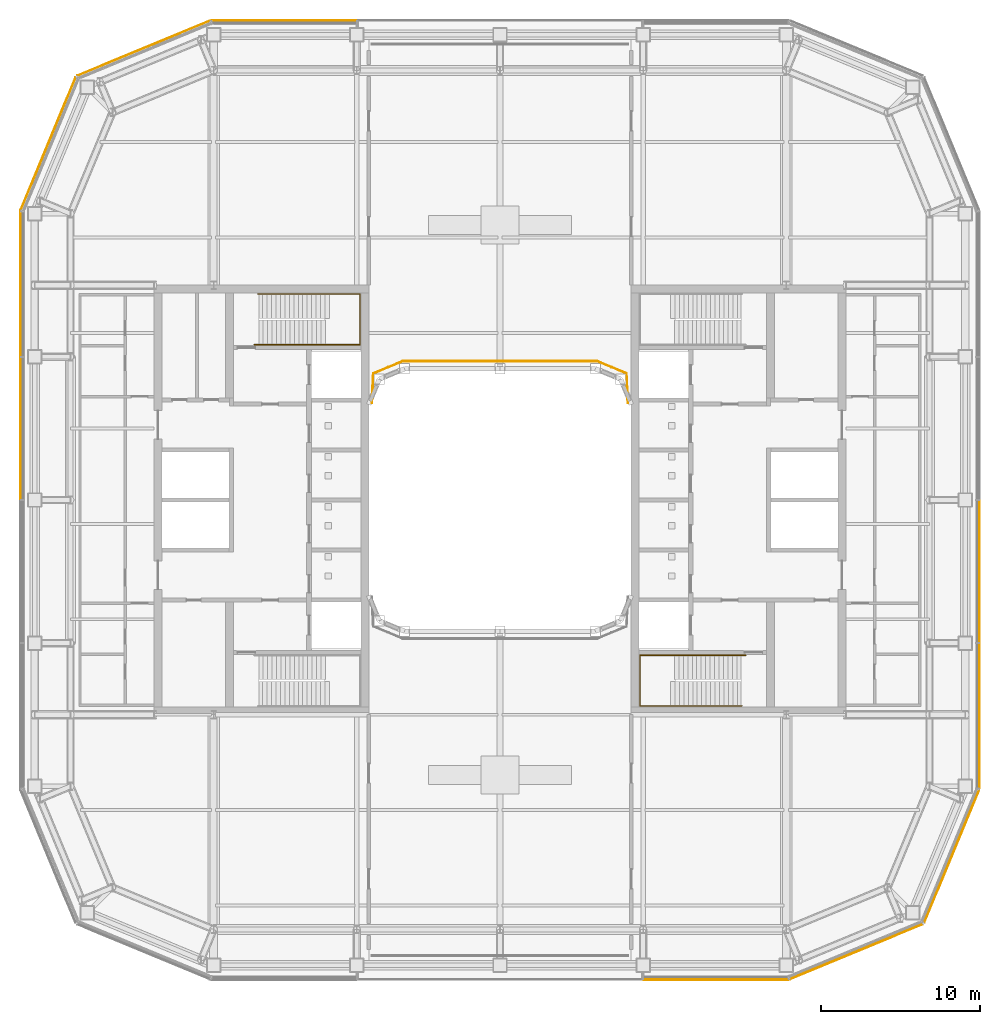
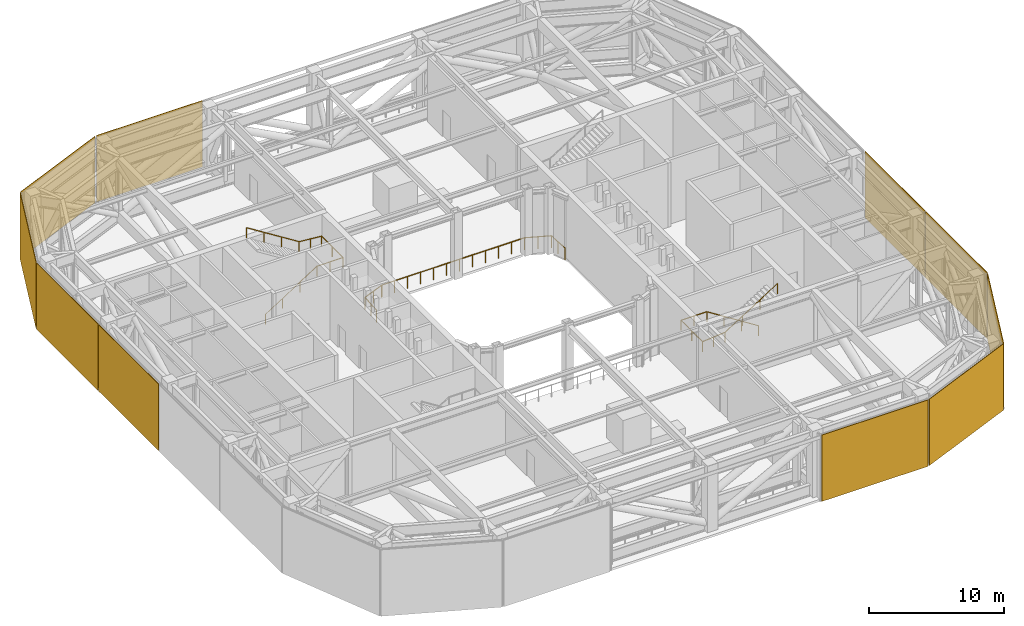
# One storey, part 20 of 22: 10 coverings, 3 railings.
"""IFC4 building model written with IfcOpenShell, lengths in metres."""

from ifc_helpers import new_model, si_unit, direction, frame, origin, origin_2d, place, context, subcontext, project, spatial, rectangle, circle, extrude, material, layer, layer_set, type_object, element, save


model = new_model("IFC4")

# Units and contexts
model_context = context("Model", 3, precision=1e-05, world=origin(), true_north=direction((0.0, 1.0)))
body_context = subcontext(model_context, "Body", "Model", "MODEL_VIEW")
ifc_project = project(units=[si_unit("LENGTHUNIT", "METRE"), si_unit("AREAUNIT", "SQUARE_METRE"), si_unit("VOLUMEUNIT", "CUBIC_METRE"), si_unit("PLANEANGLEUNIT", "RADIAN"), si_unit("MASSUNIT", "GRAM", prefix="KILO")], contexts=[model_context])

# Site, building, storey
site_placement = place(None, origin())
site = spatial("IfcSite", under=ifc_project, at=site_placement, CompositionType="ELEMENT")
building_placement = place(site_placement, origin())
building = spatial("IfcBuilding", under=site, at=building_placement, Name="Siwar Civic Tower", CompositionType="ELEMENT")
storey_placement = place(building_placement, frame((0.0, 0.0, 181.199951171875)))
storey = spatial("IfcBuildingStorey", under=building, at=storey_placement, Name="L39", CompositionType="ELEMENT", Elevation=181.199951171875)

# Railings
ifc_material_1 = material(Name="Stainless steel", Category="steel")
railing_type_1 = type_object("IfcRailingType", Name="CORE-STAIR-HANDRAIL", PredefinedType="HANDRAIL", material=ifc_material_1)
railing_1_placement = place(storey_placement, frame((-15.449951171875, 9.758056640625, 0.176513671875)))
element("IfcRailing", 1, at=railing_1_placement, inside=storey, type_object=railing_type_1, Name="Stair handrail ST1", PredefinedType="HANDRAIL", context=body_context, shape_type="SweptSolid", body=[
    extrude(circle(Radius=0.02001953125, at=origin_2d()), frame((0.0, 0.0, 0.8798828125), z_axis=(0.843278542751, 0.0, 0.537476789579), x_axis=(0.0, 1.0, 0.0)), (0.0, 0.0, 1.0), 5.253173828125),
    extrude(circle(Radius=0.02001953125, at=origin_2d()), frame((4.429931640625, 0.0, 3.703369140625), z_axis=(1.0, 0.0, 0.0), x_axis=(0.0, 1.0, 0.0)), (0.0, 0.0, 1.0), 2.2119140625),
    extrude(circle(Radius=0.02001953125, at=origin_2d()), frame((6.641845703125, 0.0, 3.703369140625), z_axis=(0.0, 1.0, 0.0), x_axis=(-1.0, 0.0, 0.0)), (0.0, 0.0, 1.0), 3.183837890625),
    extrude(circle(Radius=0.02001953125, at=origin_2d()), frame((6.641845703125, 3.183837890625, 3.703369140625), z_axis=(-0.995765067396, 0.0, 0.091934381781), x_axis=(0.0, -1.0, 0.0)), (0.0, 0.0, 1.0), 1.919921875),
    extrude(circle(Radius=0.02001953125, at=origin_2d()), frame((4.72998046875, 3.183837890625, 3.8798828125), z_axis=(-0.845997938375, 0.0, 0.533186166611), x_axis=(0.0, -1.0, 0.0)), (0.0, 0.0, 1.0), 5.29541015625),
    extrude(circle(Radius=0.02001953125, at=origin_2d()), origin(), (0.0, 0.0, 1.0), 0.85986328125),
    extrude(circle(Radius=0.02001953125, at=origin_2d()), frame((1.4765625, 0.0, 0.941162109375)), (0.0, 0.0, 1.0), 0.85986328125),
    extrude(circle(Radius=0.02001953125, at=origin_2d()), frame((2.953369140625, 0.0, 1.88232421875)), (0.0, 0.0, 1.0), 0.85986328125),
    extrude(circle(Radius=0.02001953125, at=origin_2d()), frame((4.429931640625, 0.0, 2.823486328125)), (0.0, 0.0, 1.0), 0.85986328125),
    extrude(circle(Radius=0.02001953125, at=origin_2d()), frame((5.535888671875, 0.0, 2.823486328125)), (0.0, 0.0, 1.0), 0.85986328125),
    extrude(circle(Radius=0.02001953125, at=origin_2d()), frame((6.641845703125, 0.0, 2.823486328125)), (0.0, 0.0, 1.0), 0.85986328125),
    extrude(circle(Radius=0.02001953125, at=origin_2d()), frame((6.641845703125, 1.591796875, 2.823486328125)), (0.0, 0.0, 1.0), 0.85986328125),
    extrude(circle(Radius=0.02001953125, at=origin_2d()), frame((6.641845703125, 3.183837890625, 2.823486328125)), (0.0, 0.0, 1.0), 0.85986328125),
    extrude(circle(Radius=0.02001953125, at=origin_2d()), frame((5.68603515625, 3.183837890625, 2.91162109375)), (0.0, 0.0, 1.0), 0.85986328125),
    extrude(circle(Radius=0.02001953125, at=origin_2d()), frame((4.72998046875, 3.183837890625, 3.0)), (0.0, 0.0, 1.0), 0.85986328125),
    extrude(circle(Radius=0.02001953125, at=origin_2d()), frame((3.236572265625, 3.183837890625, 3.941162109375)), (0.0, 0.0, 1.0), 0.85986328125),
    extrude(circle(Radius=0.02001953125, at=origin_2d()), frame((1.743408203125, 3.183837890625, 4.88232421875)), (0.0, 0.0, 1.0), 0.85986328125),
    extrude(circle(Radius=0.02001953125, at=origin_2d()), frame((0.25, 3.183837890625, 5.823486328125)), (0.0, 0.0, 1.0), 0.85986328125),
])
railing_2_placement = place(storey_placement, frame((15.449951171875, -9.758056640625, 0.176513671875)))
element("IfcRailing", 2, at=railing_2_placement, inside=storey, type_object=railing_type_1, Name="Stair handrail ST4", PredefinedType="HANDRAIL", context=body_context, shape_type="SweptSolid", body=[
    extrude(circle(Radius=0.02001953125, at=origin_2d()), frame((0.0, 0.0, 0.8798828125), z_axis=(-0.843278542751, 0.0, 0.537476789579), x_axis=(0.0, -1.0, 0.0)), (0.0, 0.0, 1.0), 5.253173828125),
    extrude(circle(Radius=0.02001953125, at=origin_2d()), frame((-4.429931640625, 0.0, 3.703369140625), z_axis=(-1.0, 0.0, 0.0), x_axis=(0.0, -1.0, 0.0)), (0.0, 0.0, 1.0), 2.2119140625),
    extrude(circle(Radius=0.02001953125, at=origin_2d()), frame((-6.641845703125, 0.0, 3.703369140625), z_axis=(0.0, -1.0, 0.0), x_axis=(1.0, 0.0, 0.0)), (0.0, 0.0, 1.0), 3.183837890625),
    extrude(circle(Radius=0.02001953125, at=origin_2d()), frame((-6.641845703125, -3.183837890625, 3.703369140625), z_axis=(0.995765067396, 0.0, 0.091934381781), x_axis=(0.0, 1.0, 0.0)), (0.0, 0.0, 1.0), 1.919921875),
    extrude(circle(Radius=0.02001953125, at=origin_2d()), frame((-4.72998046875, -3.183837890625, 3.8798828125), z_axis=(0.845997938375, 0.0, 0.533186166611), x_axis=(0.0, 1.0, 0.0)), (0.0, 0.0, 1.0), 5.29541015625),
    extrude(circle(Radius=0.02001953125, at=origin_2d()), origin(), (0.0, 0.0, 1.0), 0.85986328125),
    extrude(circle(Radius=0.02001953125, at=origin_2d()), frame((-1.4765625, 0.0, 0.941162109375)), (0.0, 0.0, 1.0), 0.85986328125),
    extrude(circle(Radius=0.02001953125, at=origin_2d()), frame((-2.953369140625, 0.0, 1.88232421875)), (0.0, 0.0, 1.0), 0.85986328125),
    extrude(circle(Radius=0.02001953125, at=origin_2d()), frame((-4.429931640625, 0.0, 2.823486328125)), (0.0, 0.0, 1.0), 0.85986328125),
    extrude(circle(Radius=0.02001953125, at=origin_2d()), frame((-5.535888671875, 0.0, 2.823486328125)), (0.0, 0.0, 1.0), 0.85986328125),
    extrude(circle(Radius=0.02001953125, at=origin_2d()), frame((-6.641845703125, 0.0, 2.823486328125)), (0.0, 0.0, 1.0), 0.85986328125),
    extrude(circle(Radius=0.02001953125, at=origin_2d()), frame((-6.641845703125, -1.591796875, 2.823486328125)), (0.0, 0.0, 1.0), 0.85986328125),
    extrude(circle(Radius=0.02001953125, at=origin_2d()), frame((-6.641845703125, -3.183837890625, 2.823486328125)), (0.0, 0.0, 1.0), 0.85986328125),
    extrude(circle(Radius=0.02001953125, at=origin_2d()), frame((-5.68603515625, -3.183837890625, 2.91162109375)), (0.0, 0.0, 1.0), 0.85986328125),
    extrude(circle(Radius=0.02001953125, at=origin_2d()), frame((-4.72998046875, -3.183837890625, 3.0)), (0.0, 0.0, 1.0), 0.85986328125),
    extrude(circle(Radius=0.02001953125, at=origin_2d()), frame((-3.236572265625, -3.183837890625, 3.941162109375)), (0.0, 0.0, 1.0), 0.85986328125),
    extrude(circle(Radius=0.02001953125, at=origin_2d()), frame((-1.743408203125, -3.183837890625, 4.88232421875)), (0.0, 0.0, 1.0), 0.85986328125),
    extrude(circle(Radius=0.02001953125, at=origin_2d()), frame((-0.25, -3.183837890625, 5.823486328125)), (0.0, 0.0, 1.0), 0.85986328125),
])
ifc_material_2 = material(Name="Stainless steel 316", Category="steel")
railing_type_2 = type_object("IfcRailingType", Name="ENV-GUARD-ROOF", PredefinedType="GUARDRAIL", material=ifc_material_2)
railing_3_placement = place(storey_placement, frame((8.050048828125, 6.094482421875, 0.0)))
element("IfcRailing", 3, at=railing_3_placement, inside=storey, type_object=railing_type_2, Name="Sky portal guard N well edge", PredefinedType="GUARDRAIL", context=body_context, shape_type="SweptSolid", body=[
    extrude(circle(Radius=0.02392578125, at=origin_2d()), frame((0.0, 0.0, 1.076171875), z_axis=(-0.051251625776, 0.99868577183, 0.0), x_axis=(-0.99868577183, -0.051251625776, 0.0)), (0.0, 0.0, 1.0), 1.862548828125),
    extrude(circle(Radius=0.02392578125, at=origin_2d()), frame((-0.095458984375, 1.860107421875, 1.076171875), z_axis=(-0.923874950825, 0.382694493346, 0.0), x_axis=(-0.382694493346, -0.923874950825, 0.0)), (0.0, 0.0, 1.0), 2.013427734375),
    extrude(circle(Radius=0.02392578125, at=origin_2d()), frame((-1.95556640625, 2.630615234375, 1.076171875), z_axis=(-1.0, 0.0, 0.0), x_axis=(0.0, -1.0, 0.0)), (0.0, 0.0, 1.0), 12.18896484375),
    extrude(circle(Radius=0.02392578125, at=origin_2d()), frame((-14.14453125, 2.630615234375, 1.076171875), z_axis=(-0.923874950825, -0.382694493346, 0.0), x_axis=(0.382694493346, -0.923874950825, 0.0)), (0.0, 0.0, 1.0), 2.013427734375),
    extrude(circle(Radius=0.02392578125, at=origin_2d()), frame((-16.004638671875, 1.860107421875, 1.076171875), z_axis=(-0.051251625776, -0.99868577183, 0.0), x_axis=(0.99868577183, -0.051251625776, 0.0)), (0.0, 0.0, 1.0), 1.862548828125),
    extrude(circle(Radius=0.02099609375, at=origin_2d()), origin(), (0.0, 0.0, 1.0), 1.052001953125),
    extrude(circle(Radius=0.02099609375, at=origin_2d()), frame((-0.0478515625, 0.93017578125, 0.0)), (0.0, 0.0, 1.0), 1.052001953125),
    extrude(circle(Radius=0.02099609375, at=origin_2d()), frame((-0.095458984375, 1.860107421875, 0.0)), (0.0, 0.0, 1.0), 1.052001953125),
    extrude(circle(Radius=0.02099609375, at=origin_2d()), frame((-1.025390625, 2.245361328125, 0.0)), (0.0, 0.0, 1.0), 1.052001953125),
    extrude(circle(Radius=0.02099609375, at=origin_2d()), frame((-1.95556640625, 2.630615234375, 0.0)), (0.0, 0.0, 1.0), 1.052001953125),
    extrude(circle(Radius=0.02099609375, at=origin_2d()), frame((-3.063720703125, 2.630615234375, 0.0)), (0.0, 0.0, 1.0), 1.052001953125),
    extrude(circle(Radius=0.02099609375, at=origin_2d()), frame((-4.171630859375, 2.630615234375, 0.0)), (0.0, 0.0, 1.0), 1.052001953125),
    extrude(circle(Radius=0.02099609375, at=origin_2d()), frame((-5.27978515625, 2.630615234375, 0.0)), (0.0, 0.0, 1.0), 1.052001953125),
    extrude(circle(Radius=0.02099609375, at=origin_2d()), frame((-6.387939453125, 2.630615234375, 0.0)), (0.0, 0.0, 1.0), 1.052001953125),
    extrude(circle(Radius=0.02099609375, at=origin_2d()), frame((-7.49609375, 2.630615234375, 0.0)), (0.0, 0.0, 1.0), 1.052001953125),
    extrude(circle(Radius=0.02099609375, at=origin_2d()), frame((-8.60400390625, 2.630615234375, 0.0)), (0.0, 0.0, 1.0), 1.052001953125),
    extrude(circle(Radius=0.02099609375, at=origin_2d()), frame((-9.712158203125, 2.630615234375, 0.0)), (0.0, 0.0, 1.0), 1.052001953125),
    extrude(circle(Radius=0.02099609375, at=origin_2d()), frame((-10.8203125, 2.630615234375, 0.0)), (0.0, 0.0, 1.0), 1.052001953125),
    extrude(circle(Radius=0.02099609375, at=origin_2d()), frame((-11.928466796875, 2.630615234375, 0.0)), (0.0, 0.0, 1.0), 1.052001953125),
    extrude(circle(Radius=0.02099609375, at=origin_2d()), frame((-13.036376953125, 2.630615234375, 0.0)), (0.0, 0.0, 1.0), 1.052001953125),
    extrude(circle(Radius=0.02099609375, at=origin_2d()), frame((-14.14453125, 2.630615234375, 0.0)), (0.0, 0.0, 1.0), 1.052001953125),
    extrude(circle(Radius=0.02099609375, at=origin_2d()), frame((-15.07470703125, 2.245361328125, 0.0)), (0.0, 0.0, 1.0), 1.052001953125),
    extrude(circle(Radius=0.02099609375, at=origin_2d()), frame((-16.004638671875, 1.860107421875, 0.0)), (0.0, 0.0, 1.0), 1.052001953125),
    extrude(circle(Radius=0.02099609375, at=origin_2d()), frame((-16.05224609375, 0.93017578125, 0.0)), (0.0, 0.0, 1.0), 1.052001953125),
    extrude(circle(Radius=0.02099609375, at=origin_2d()), frame((-16.10009765625, 0.0, 0.0)), (0.0, 0.0, 1.0), 1.052001953125),
])

# Coverings
ifc_material_3 = material(Name="Perforated aluminium cassette, pale metal", Category="aluminium")
ifc_layer_1 = layer(ifc_material_3, 0.0400390625)
ifc_layer_set_1 = layer_set([ifc_layer_1], Name="Perforated aluminium cassette, pale metal")
covering_type_1 = type_object("IfcCoveringType", Name="ENV-OUTER SKIN OS-1", PredefinedType="CLADDING", material=ifc_layer_set_1)
covering_1_placement = place(storey_placement, frame((30.14990234375, -13.57958984375, -0.199951171875), z_axis=(0.0, 0.0, 1.0), x_axis=(0.0, 1.0, 0.0)))
element("IfcCovering", 4, at=covering_1_placement, inside=storey, type_object=covering_type_1, Name="OUTER SKIN OS-1 E 1", PredefinedType="CLADDING", context=body_context, shape_type="SweptSolid", body=[
    extrude(rectangle(XDim=9.05908203125, YDim=0.0400390625, at=origin_2d()), origin(), (0.0, 0.0, 1.0), 6.0),
])
covering_2_placement = place(storey_placement, frame((30.14990234375, -4.5, -0.199951171875), z_axis=(0.0, 0.0, 1.0), x_axis=(0.0, 1.0, 0.0)))
element("IfcCovering", 5, at=covering_2_placement, inside=storey, type_object=covering_type_1, Name="OUTER SKIN OS-1 E 2", PredefinedType="CLADDING", context=body_context, shape_type="SweptSolid", body=[
    extrude(rectangle(XDim=8.89990234375, YDim=0.0400390625, at=origin_2d()), origin(), (0.0, 0.0, 1.0), 6.0),
])
covering_3_placement = place(storey_placement, frame((-13.57958984375, 30.14990234375, -0.199951171875), z_axis=(0.0, 0.0, 1.0), x_axis=(-1.0, 0.0, 0.0)))
element("IfcCovering", 6, at=covering_3_placement, inside=storey, type_object=covering_type_1, Name="OUTER SKIN OS-1 N 4", PredefinedType="CLADDING", context=body_context, shape_type="SweptSolid", body=[
    extrude(rectangle(XDim=9.05908203125, YDim=0.0400390625, at=origin_2d()), origin(), (0.0, 0.0, 1.0), 6.0),
])
covering_4_placement = place(storey_placement, frame((-22.411376953125, 28.39697265625, -0.199951171875), z_axis=(0.0, 0.0, 1.0), x_axis=(-0.923879532511, -0.382683432365, 0.0)))
element("IfcCovering", 7, at=covering_4_placement, inside=storey, type_object=covering_type_1, Name="OUTER SKIN OS-1 NW1 1", PredefinedType="CLADDING", context=body_context, shape_type="SweptSolid", body=[
    extrude(rectangle(XDim=9.022216796875, YDim=0.0400390625, at=origin_2d()), origin(), (0.0, 0.0, 1.0), 6.0),
])
ifc_material_4 = material(Name="Perforated aluminium cassette, pale metal", Category="aluminium")
ifc_layer_2 = layer(ifc_material_4, 0.044921875)
ifc_layer_set_2 = layer_set([ifc_layer_2], Name="Perforated aluminium cassette, pale metal")
covering_type_2 = type_object("IfcCoveringType", Name="ENV-OUTER SKIN OS-2", PredefinedType="CLADDING", material=ifc_layer_set_2)
for number, where, z_axis, x_axis, name in (
    (8, (28.39697265625, -22.411376953125, -0.199951171875), (0.0, 0.0, 1.0), (0.382683432365, 0.923879532511, 0.0), "OUTER SKIN OS-2 SE2 1"),
    (9, (-28.39697265625, 22.411376953125, -0.199951171875), (0.0, 0.0, 1.0), (-0.382683432365, -0.923879532511, 0.0), "OUTER SKIN OS-2 NW2 1"),
):
    element("IfcCovering", number, at=place(storey_placement, frame(where, z_axis=z_axis, x_axis=x_axis)), inside=storey, type_object=covering_type_2, Name=name, PredefinedType="CLADDING", context=body_context, shape_type="SweptSolid", body=[
        extrude(rectangle(XDim=9.022216796875, YDim=0.044921875, at=origin_2d()), origin(), (0.0, 0.0, 1.0), 6.0),
    ])
ifc_material_5 = material(Name="Perforated aluminium cassette, pale metal", Category="aluminium")
ifc_layer_3 = layer(ifc_material_5, 0.050048828125)
ifc_layer_set_3 = layer_set([ifc_layer_3], Name="Perforated aluminium cassette, pale metal")
covering_type_3 = type_object("IfcCoveringType", Name="ENV-OUTER SKIN OS-3", PredefinedType="CLADDING", material=ifc_layer_set_3)
covering_5_placement = place(storey_placement, frame((22.411376953125, -28.39697265625, -0.199951171875), z_axis=(0.0, 0.0, 1.0), x_axis=(0.923879532511, 0.382683432365, 0.0)))
element("IfcCovering", 10, at=covering_5_placement, inside=storey, type_object=covering_type_3, Name="OUTER SKIN OS-3 SE1 1", PredefinedType="CLADDING", context=body_context, shape_type="SweptSolid", body=[
    extrude(rectangle(XDim=9.022216796875, YDim=0.050048828125, at=origin_2d()), origin(), (0.0, 0.0, 1.0), 6.0),
])
covering_6_placement = place(storey_placement, frame((-30.14990234375, 13.57958984375, -0.199951171875), z_axis=(0.0, 0.0, 1.0), x_axis=(0.0, -1.0, 0.0)))
element("IfcCovering", 11, at=covering_6_placement, inside=storey, type_object=covering_type_3, Name="OUTER SKIN OS-3 W 1", PredefinedType="CLADDING", context=body_context, shape_type="SweptSolid", body=[
    extrude(rectangle(XDim=9.05908203125, YDim=0.050048828125, at=origin_2d()), origin(), (0.0, 0.0, 1.0), 6.0),
])
covering_7_placement = place(storey_placement, frame((-30.14990234375, 4.5, -0.199951171875), z_axis=(0.0, 0.0, 1.0), x_axis=(0.0, -1.0, 0.0)))
element("IfcCovering", 12, at=covering_7_placement, inside=storey, type_object=covering_type_3, Name="OUTER SKIN OS-3 W 2", PredefinedType="CLADDING", context=body_context, shape_type="SweptSolid", body=[
    extrude(rectangle(XDim=8.89990234375, YDim=0.050048828125, at=origin_2d()), origin(), (0.0, 0.0, 1.0), 6.0),
])
ifc_material_6 = material(Name="Perforated aluminium cassette, pale metal", Category="aluminium")
ifc_layer_4 = layer(ifc_material_6, 0.054931640625)
ifc_layer_set_4 = layer_set([ifc_layer_4], Name="Perforated aluminium cassette, pale metal")
covering_type_4 = type_object("IfcCoveringType", Name="ENV-OUTER SKIN OS-4", PredefinedType="CLADDING", material=ifc_layer_set_4)
covering_8_placement = place(storey_placement, frame((13.57958984375, -30.14990234375, -0.199951171875), z_axis=(0.0, 0.0, 1.0), x_axis=(1.0, 0.0, 0.0)))
element("IfcCovering", 13, at=covering_8_placement, inside=storey, type_object=covering_type_4, Name="OUTER SKIN OS-4 S 4", PredefinedType="CLADDING", context=body_context, shape_type="SweptSolid", body=[
    extrude(rectangle(XDim=9.05908203125, YDim=0.054931640625, at=origin_2d()), origin(), (0.0, 0.0, 1.0), 6.0),
])

save(model, "model.ifc")
